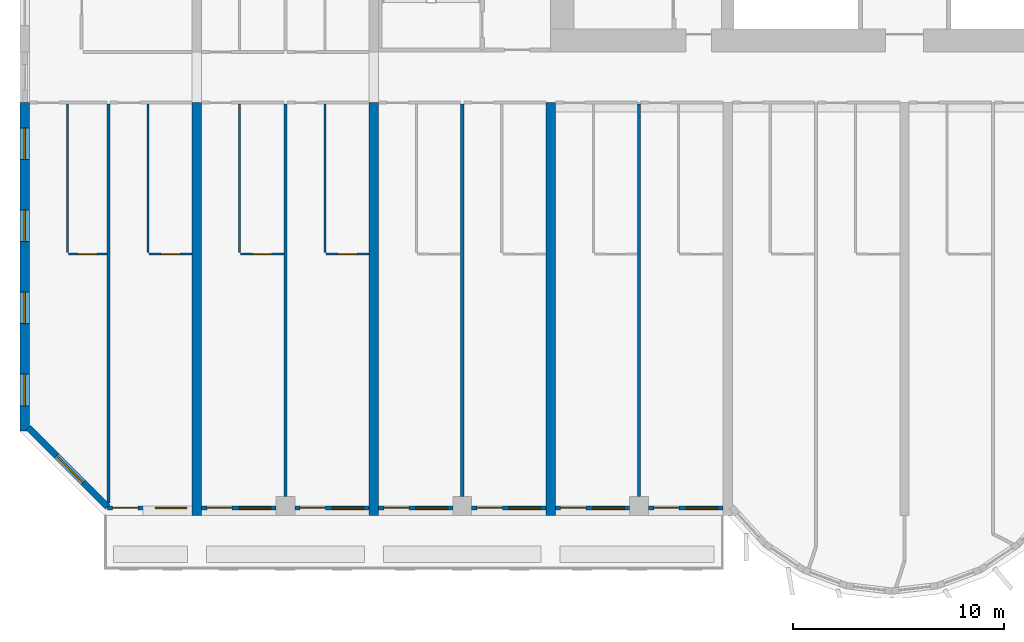
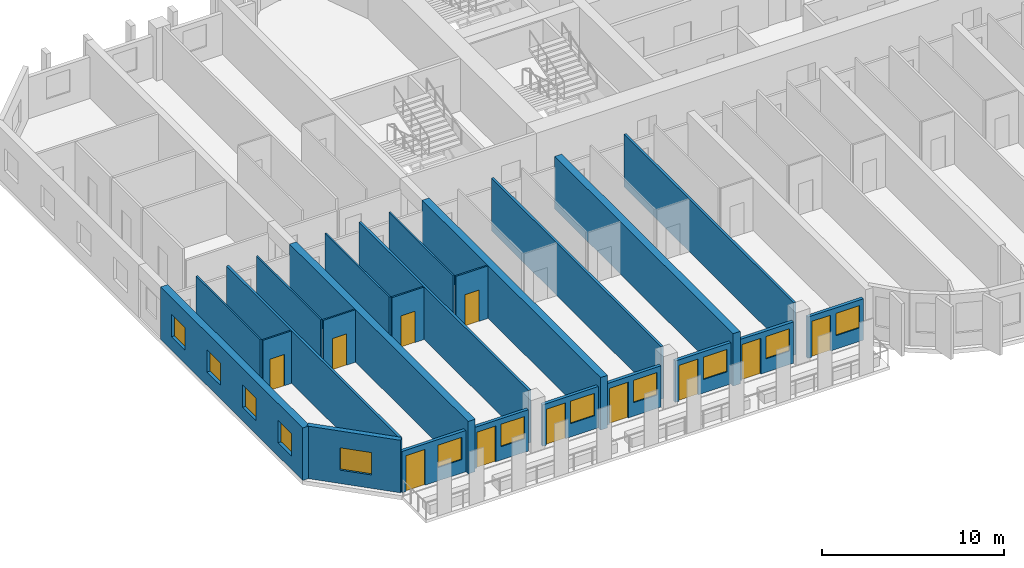
# One storey, part 2 of 14: 24 walls, 12 windows, 11 doors, 23 openings.
"""IFC4 building model written with IfcOpenShell, lengths in metres."""

from ifc_helpers import new_model, si_unit, direction, frame, frame_2d, origin, place, context, subcontext, project, spatial, rectangle, extrude, source, transform, mapped, material, layer, layer_set, type_object, element, fill, save


model = new_model("IFC4")

# Units and contexts
model_context = context("Model", 3, precision=1e-05, world=origin(), true_north=direction((0.0, 1.0)))
body_context = subcontext(model_context, "Body", "Model", "MODEL_VIEW")
ifc_project = project(units=[si_unit("LENGTHUNIT", "METRE"), si_unit("AREAUNIT", "SQUARE_METRE"), si_unit("VOLUMEUNIT", "CUBIC_METRE"), si_unit("PLANEANGLEUNIT", "RADIAN"), si_unit("MASSUNIT", "GRAM", prefix="KILO")], contexts=[model_context])

# Site, building, storey
site_placement = place(None, origin())
site = spatial("IfcSite", under=ifc_project, at=site_placement, CompositionType="ELEMENT")
building_placement = place(site_placement, origin())
building = spatial("IfcBuilding", under=site, at=building_placement, Name="Vanashikhar Sky Hotel", CompositionType="ELEMENT")
storey_placement = place(building_placement, frame((0.0, 0.0, 27.800048828125)))
storey = spatial("IfcBuildingStorey", under=building, at=storey_placement, Name="L05", CompositionType="ELEMENT", Elevation=27.800048828125)

# Wall, openings, windows
ifc_material_1 = material(Name="Concrete M80", Category="concrete")
ifc_layer_1 = layer(ifc_material_1, 0.449951171875)
ifc_layer_set_1 = layer_set([ifc_layer_1], Name="RC shear wall 450 Concrete M80")
wall_type_1 = type_object("IfcWallType", Name="RC shear wall 450 Concrete M80", PredefinedType="SHEAR", material=ifc_layer_set_1)
shared_shape_1 = source(origin(), body_context, "Body", "SweptSolid", [
    extrude(rectangle(XDim=15.60009765625, YDim=0.449951171875, at=frame_2d((7.800048828125, 0.0))), origin(), (0.0, 0.0, 1.0), 3.52001953125),
])
wall_1_placement = place(storey_placement, frame((0.22509765625, 4.0, 0.0), z_axis=(0.0, 0.0, 1.0), x_axis=(0.0, 1.0, 0.0)))
wall_1 = element("IfcWall", 1, at=wall_1_placement, inside=storey, type_object=wall_type_1, Name="CW-L05-XW01-1", PredefinedType="SHEAR", context=body_context, shape_type="MappedRepresentation", body=[
    mapped(shared_shape_1, transform((0.0, 0.0, 0.0), scale=1.0)),
])
shared_shape_2 = source(origin(), body_context, "Body", "SweptSolid", [
    extrude(rectangle(XDim=1.5, YDim=1.5, at=frame_2d((0.75, 0.75))), frame((0.0, 0.23486328125, 0.0), z_axis=(0.0, -1.0, 0.0), x_axis=(1.0, 0.0, 0.0)), (0.0, 0.0, 1.0), 0.469970703125),
])
opening_1_placement = place(wall_1_placement, frame((1.199951171875, 0.0, 0.89990234375)))
opening_1 = element("IfcOpeningElement", 2, at=opening_1_placement, cuts=wall_1, Name="Opening WN-1", PredefinedType="OPENING", context=body_context, shape_type="MappedRepresentation", body=[
    mapped(shared_shape_2, transform((0.0, 0.0, 0.0), scale=1.0)),
])
opening_2_placement = place(wall_1_placement, frame((5.10009765625, 0.0, 0.89990234375)))
opening_2 = element("IfcOpeningElement", 3, at=opening_2_placement, cuts=wall_1, Name="Opening WN-1", PredefinedType="OPENING", context=body_context, shape_type="MappedRepresentation", body=[
    mapped(shared_shape_2, transform((0.0, 0.0, 0.0), scale=1.0)),
])
opening_3_placement = place(wall_1_placement, frame((9.0, 0.0, 0.89990234375)))
opening_3 = element("IfcOpeningElement", 4, at=opening_3_placement, cuts=wall_1, Name="Opening WN-1", PredefinedType="OPENING", context=body_context, shape_type="MappedRepresentation", body=[
    mapped(shared_shape_2, transform((0.0, 0.0, 0.0), scale=1.0)),
])
opening_4_placement = place(wall_1_placement, frame((12.89990234375, 0.0, 0.89990234375)))
opening_4 = element("IfcOpeningElement", 5, at=opening_4_placement, cuts=wall_1, Name="Opening WN-1", PredefinedType="OPENING", context=body_context, shape_type="MappedRepresentation", body=[
    mapped(shared_shape_2, transform((0.0, 0.0, 0.0), scale=1.0)),
])
ifc_material_2 = material(Name="Glass", Category="glass")
window_type_1 = type_object("IfcWindowType", Name="Window 1500 x 1500", PartitioningType="SINGLE_PANEL", PredefinedType="WINDOW", material=ifc_material_2)
shared_shape_3 = source(origin(), body_context, "Body", "SweptSolid", [
    extrude(rectangle(XDim=1.5, YDim=1.5, at=frame_2d((0.75, 0.75))), frame((0.0, 0.030029296875, 0.0), z_axis=(0.0, -1.0, 0.0), x_axis=(1.0, 0.0, 0.0)), (0.0, 0.0, 1.0), 0.06005859375),
])
window_1_placement = place(opening_1_placement, origin())
window_1 = element("IfcWindow", 6, at=window_1_placement, inside=storey, type_object=window_type_1, Name="Window WN-1", OverallHeight=1.5, OverallWidth=1.5, PartitioningType="SINGLE_PANEL", PredefinedType="WINDOW", context=body_context, shape_type="MappedRepresentation", body=[
    mapped(shared_shape_3, transform((0.0, 0.0, 0.0), scale=1.0)),
])
fill(opening_1, window_1)
window_2_placement = place(opening_2_placement, origin())
window_2 = element("IfcWindow", 7, at=window_2_placement, inside=storey, type_object=window_type_1, Name="Window WN-1", OverallHeight=1.5, OverallWidth=1.5, PartitioningType="SINGLE_PANEL", PredefinedType="WINDOW", context=body_context, shape_type="MappedRepresentation", body=[
    mapped(shared_shape_3, transform((0.0, 0.0, 0.0), scale=1.0)),
])
fill(opening_2, window_2)
window_3_placement = place(opening_3_placement, origin())
window_3 = element("IfcWindow", 8, at=window_3_placement, inside=storey, type_object=window_type_1, Name="Window WN-1", OverallHeight=1.5, OverallWidth=1.5, PartitioningType="SINGLE_PANEL", PredefinedType="WINDOW", context=body_context, shape_type="MappedRepresentation", body=[
    mapped(shared_shape_3, transform((0.0, 0.0, 0.0), scale=1.0)),
])
fill(opening_3, window_3)
window_4_placement = place(opening_4_placement, origin())
window_4 = element("IfcWindow", 9, at=window_4_placement, inside=storey, type_object=window_type_1, Name="Window WN-1", OverallHeight=1.5, OverallWidth=1.5, PartitioningType="SINGLE_PANEL", PredefinedType="WINDOW", context=body_context, shape_type="MappedRepresentation", body=[
    mapped(shared_shape_3, transform((0.0, 0.0, 0.0), scale=1.0)),
])
fill(opening_4, window_4)

# Walls
shared_shape_4 = source(origin(), body_context, "Body", "SweptSolid", [
    extrude(rectangle(XDim=19.60009765625, YDim=0.449951171875, at=frame_2d((9.800048828125, 0.0))), origin(), (0.0, 0.0, 1.0), 3.52001953125),
])
for number, where, z_axis, x_axis, name in (
    (10, (8.39990234375, 0.0, 0.0), (0.0, 0.0, 1.0), (0.0, 1.0, 0.0), "CW-L05-XW02-1"),
    (11, (16.800048828125, 0.0, 0.0), (0.0, 0.0, 1.0), (0.0, 1.0, 0.0), "CW-L05-XW03-1"),
    (12, (25.199951171875, 0.0, 0.0), (0.0, 0.0, 1.0), (0.0, 1.0, 0.0), "CW-L05-XW04-1"),
):
    element("IfcWall", number, at=place(storey_placement, frame(where, z_axis=z_axis, x_axis=x_axis)), inside=storey, type_object=wall_type_1, Name=name, PredefinedType="SHEAR", context=body_context, shape_type="MappedRepresentation", body=[
        mapped(shared_shape_4, transform((0.0, 0.0, 0.0), scale=1.0)),
    ])

# Wall, openings, window, door
ifc_material_3 = material(Name="Concrete M50", Category="concrete")
ifc_layer_2 = layer(ifc_material_3, 0.199951171875)
ifc_layer_set_2 = layer_set([ifc_layer_2], Name="Front window wall 200")
wall_type_2 = type_object("IfcWallType", Name="Front window wall 200", PredefinedType="SOLIDWALL", material=ifc_layer_set_2)
shared_shape_5 = source(origin(), body_context, "Body", "SweptSolid", [
    extrude(rectangle(XDim=4.030029296875, YDim=0.199951171875, at=frame_2d((2.01513671875, 0.0))), origin(), (0.0, 0.0, 1.0), 2.77001953125),
])
wall_2_placement = place(storey_placement, frame((4.14501953125, 0.35009765625, 0.0), z_axis=(0.0, 0.0, 1.0), x_axis=(1.0, 0.0, 0.0)))
wall_2 = element("IfcWall", 13, at=wall_2_placement, inside=storey, type_object=wall_type_2, Name="Front window wall", PredefinedType="SOLIDWALL", context=body_context, shape_type="MappedRepresentation", body=[
    mapped(shared_shape_5, transform((0.0, 0.0, 0.0), scale=1.0)),
])
shared_shape_6 = source(origin(), body_context, "Body", "SweptSolid", [
    extrude(rectangle(XDim=1.199951171875, YDim=2.39990234375, at=frame_2d((0.60009765625, 1.199951171875))), frame((0.0, 0.10986328125, 0.0), z_axis=(0.0, -1.0, 0.0), x_axis=(1.0, 0.0, 0.0)), (0.0, 0.0, 1.0), 0.219970703125),
])
opening_5_placement = place(wall_2_placement, frame((0.25, 0.0, 0.0)))
opening_5 = element("IfcOpeningElement", 14, at=opening_5_placement, cuts=wall_2, Name="Opening BD-01", PredefinedType="OPENING", context=body_context, shape_type="MappedRepresentation", body=[
    mapped(shared_shape_6, transform((0.0, 0.0, 0.0), scale=1.0)),
])
shared_shape_7 = source(origin(), body_context, "Body", "SweptSolid", [
    extrude(rectangle(XDim=1.5, YDim=1.5, at=frame_2d((0.75, 0.75))), frame((0.0, 0.10986328125, 0.0), z_axis=(0.0, -1.0, 0.0), x_axis=(1.0, 0.0, 0.0)), (0.0, 0.0, 1.0), 0.219970703125),
])
opening_6_placement = place(wall_2_placement, frame((2.280029296875, 0.0, 0.89990234375)))
opening_6 = element("IfcOpeningElement", 15, at=opening_6_placement, cuts=wall_2, Name="Opening WN-1", PredefinedType="OPENING", context=body_context, shape_type="MappedRepresentation", body=[
    mapped(shared_shape_7, transform((0.0, 0.0, 0.0), scale=1.0)),
])
window_5_placement = place(opening_6_placement, origin())
window_5 = element("IfcWindow", 16, at=window_5_placement, inside=storey, type_object=window_type_1, Name="Window WN-1", OverallHeight=1.5, OverallWidth=1.5, PartitioningType="SINGLE_PANEL", PredefinedType="WINDOW", context=body_context, shape_type="MappedRepresentation", body=[
    mapped(shared_shape_3, transform((0.0, 0.0, 0.0), scale=1.0)),
])
fill(opening_6, window_5)
ifc_material_4 = material(Name="Aluminium", Category="aluminium")
door_type_1 = type_object("IfcDoorType", Name="Balcony sliding door 1200 x 2400", OperationType="NOTDEFINED", PredefinedType="DOOR", material=ifc_material_4)
shared_shape_8 = source(origin(), body_context, "Body", "SweptSolid", [
    extrude(rectangle(XDim=1.199951171875, YDim=2.39990234375, at=frame_2d((0.60009765625, 1.199951171875))), frame((0.0, 0.02490234375, 0.0), z_axis=(0.0, -1.0, 0.0), x_axis=(1.0, 0.0, 0.0)), (0.0, 0.0, 1.0), 0.050048828125),
])
door_1_placement = place(opening_5_placement, origin())
door_1 = element("IfcDoor", 17, at=door_1_placement, inside=storey, type_object=door_type_1, Name="Balcony sliding door", OperationType="SLIDING_TO_LEFT", OverallHeight=2.39990234375, OverallWidth=1.199951171875, PredefinedType="DOOR", context=body_context, shape_type="MappedRepresentation", body=[
    mapped(shared_shape_8, transform((0.0, 0.0, 0.0), scale=1.0)),
])
fill(opening_5, door_1)

shared_shape_9 = source(origin(), body_context, "Body", "SweptSolid", [
    extrude(rectangle(XDim=3.52490234375, YDim=0.199951171875, at=frame_2d((1.762451171875, 0.0))), origin(), (0.0, 0.0, 1.0), 2.77001953125),
])
wall_3_placement = place(storey_placement, frame((8.625, 0.35009765625, 0.0), z_axis=(0.0, 0.0, 1.0), x_axis=(1.0, 0.0, 0.0)))
wall_3 = element("IfcWall", 18, at=wall_3_placement, inside=storey, type_object=wall_type_2, Name="Front window wall", PredefinedType="SOLIDWALL", context=body_context, shape_type="MappedRepresentation", body=[
    mapped(shared_shape_9, transform((0.0, 0.0, 0.0), scale=1.0)),
])
opening_7_placement = place(wall_3_placement, frame((0.25, 0.0, 0.0)))
opening_7 = element("IfcOpeningElement", 19, at=opening_7_placement, cuts=wall_3, Name="Opening BD-02", PredefinedType="OPENING", context=body_context, shape_type="MappedRepresentation", body=[
    mapped(shared_shape_6, transform((0.0, 0.0, 0.0), scale=1.0)),
])
opening_8_placement = place(wall_3_placement, frame((1.77490234375, 0.0, 0.89990234375)))
opening_8 = element("IfcOpeningElement", 20, at=opening_8_placement, cuts=wall_3, Name="Opening WN-1", PredefinedType="OPENING", context=body_context, shape_type="MappedRepresentation", body=[
    mapped(shared_shape_7, transform((0.0, 0.0, 0.0), scale=1.0)),
])
window_6_placement = place(opening_8_placement, origin())
window_6 = element("IfcWindow", 21, at=window_6_placement, inside=storey, type_object=window_type_1, Name="Window WN-1", OverallHeight=1.5, OverallWidth=1.5, PartitioningType="SINGLE_PANEL", PredefinedType="WINDOW", context=body_context, shape_type="MappedRepresentation", body=[
    mapped(shared_shape_3, transform((0.0, 0.0, 0.0), scale=1.0)),
])
fill(opening_8, window_6)
door_2_placement = place(opening_7_placement, origin())
door_2 = element("IfcDoor", 22, at=door_2_placement, inside=storey, type_object=door_type_1, Name="Balcony sliding door", OperationType="SLIDING_TO_RIGHT", OverallHeight=2.39990234375, OverallWidth=1.199951171875, PredefinedType="DOOR", context=body_context, shape_type="MappedRepresentation", body=[
    mapped(shared_shape_8, transform((0.0, 0.0, 0.0), scale=1.0)),
])
fill(opening_7, door_2)

wall_4_placement = place(storey_placement, frame((13.050048828125, 0.35009765625, 0.0), z_axis=(0.0, 0.0, 1.0), x_axis=(1.0, 0.0, 0.0)))
wall_4 = element("IfcWall", 23, at=wall_4_placement, inside=storey, type_object=wall_type_2, Name="Front window wall", PredefinedType="SOLIDWALL", context=body_context, shape_type="MappedRepresentation", body=[
    mapped(shared_shape_9, transform((0.0, 0.0, 0.0), scale=1.0)),
])
opening_9_placement = place(wall_4_placement, frame((0.25, 0.0, 0.0)))
opening_9 = element("IfcOpeningElement", 24, at=opening_9_placement, cuts=wall_4, Name="Opening BD-03", PredefinedType="OPENING", context=body_context, shape_type="MappedRepresentation", body=[
    mapped(shared_shape_6, transform((0.0, 0.0, 0.0), scale=1.0)),
])
opening_10_placement = place(wall_4_placement, frame((1.77490234375, 0.0, 0.89990234375)))
opening_10 = element("IfcOpeningElement", 25, at=opening_10_placement, cuts=wall_4, Name="Opening WN-1", PredefinedType="OPENING", context=body_context, shape_type="MappedRepresentation", body=[
    mapped(shared_shape_7, transform((0.0, 0.0, 0.0), scale=1.0)),
])
window_7_placement = place(opening_10_placement, origin())
window_7 = element("IfcWindow", 26, at=window_7_placement, inside=storey, type_object=window_type_1, Name="Window WN-1", OverallHeight=1.5, OverallWidth=1.5, PartitioningType="SINGLE_PANEL", PredefinedType="WINDOW", context=body_context, shape_type="MappedRepresentation", body=[
    mapped(shared_shape_3, transform((0.0, 0.0, 0.0), scale=1.0)),
])
fill(opening_10, window_7)
door_3_placement = place(opening_9_placement, origin())
door_3 = element("IfcDoor", 27, at=door_3_placement, inside=storey, type_object=door_type_1, Name="Balcony sliding door", OperationType="SLIDING_TO_LEFT", OverallHeight=2.39990234375, OverallWidth=1.199951171875, PredefinedType="DOOR", context=body_context, shape_type="MappedRepresentation", body=[
    mapped(shared_shape_8, transform((0.0, 0.0, 0.0), scale=1.0)),
])
fill(opening_9, door_3)

wall_5_placement = place(storey_placement, frame((25.425048828125, 0.35009765625, 0.0), z_axis=(0.0, 0.0, 1.0), x_axis=(1.0, 0.0, 0.0)))
wall_5 = element("IfcWall", 28, at=wall_5_placement, inside=storey, type_object=wall_type_2, Name="Front window wall", PredefinedType="SOLIDWALL", context=body_context, shape_type="MappedRepresentation", body=[
    mapped(shared_shape_9, transform((0.0, 0.0, 0.0), scale=1.0)),
])
opening_11_placement = place(wall_5_placement, frame((0.25, 0.0, 0.0)))
opening_11 = element("IfcOpeningElement", 29, at=opening_11_placement, cuts=wall_5, Name="Opening BD-06", PredefinedType="OPENING", context=body_context, shape_type="MappedRepresentation", body=[
    mapped(shared_shape_6, transform((0.0, 0.0, 0.0), scale=1.0)),
])
opening_12_placement = place(wall_5_placement, frame((1.77490234375, 0.0, 0.89990234375)))
opening_12 = element("IfcOpeningElement", 30, at=opening_12_placement, cuts=wall_5, Name="Opening WN-1", PredefinedType="OPENING", context=body_context, shape_type="MappedRepresentation", body=[
    mapped(shared_shape_7, transform((0.0, 0.0, 0.0), scale=1.0)),
])
window_8_placement = place(opening_12_placement, origin())
window_8 = element("IfcWindow", 31, at=window_8_placement, inside=storey, type_object=window_type_1, Name="Window WN-1", OverallHeight=1.5, OverallWidth=1.5, PartitioningType="SINGLE_PANEL", PredefinedType="WINDOW", context=body_context, shape_type="MappedRepresentation", body=[
    mapped(shared_shape_3, transform((0.0, 0.0, 0.0), scale=1.0)),
])
fill(opening_12, window_8)
door_4_placement = place(opening_11_placement, origin())
door_4 = element("IfcDoor", 32, at=door_4_placement, inside=storey, type_object=door_type_1, Name="Balcony sliding door", OperationType="SLIDING_TO_RIGHT", OverallHeight=2.39990234375, OverallWidth=1.199951171875, PredefinedType="DOOR", context=body_context, shape_type="MappedRepresentation", body=[
    mapped(shared_shape_8, transform((0.0, 0.0, 0.0), scale=1.0)),
])
fill(opening_11, door_4)

wall_6_placement = place(storey_placement, frame((29.85009765625, 0.35009765625, 0.0), z_axis=(0.0, 0.0, 1.0), x_axis=(1.0, 0.0, 0.0)))
wall_6 = element("IfcWall", 33, at=wall_6_placement, inside=storey, type_object=wall_type_2, Name="Front window wall", PredefinedType="SOLIDWALL", context=body_context, shape_type="MappedRepresentation", body=[
    mapped(shared_shape_9, transform((0.0, 0.0, 0.0), scale=1.0)),
])
opening_13_placement = place(wall_6_placement, frame((0.25, 0.0, 0.0)))
opening_13 = element("IfcOpeningElement", 34, at=opening_13_placement, cuts=wall_6, Name="Opening BD-07", PredefinedType="OPENING", context=body_context, shape_type="MappedRepresentation", body=[
    mapped(shared_shape_6, transform((0.0, 0.0, 0.0), scale=1.0)),
])
opening_14_placement = place(wall_6_placement, frame((1.77490234375, 0.0, 0.89990234375)))
opening_14 = element("IfcOpeningElement", 35, at=opening_14_placement, cuts=wall_6, Name="Opening WN-1", PredefinedType="OPENING", context=body_context, shape_type="MappedRepresentation", body=[
    mapped(shared_shape_7, transform((0.0, 0.0, 0.0), scale=1.0)),
])
window_9_placement = place(opening_14_placement, origin())
window_9 = element("IfcWindow", 36, at=window_9_placement, inside=storey, type_object=window_type_1, Name="Window WN-1", OverallHeight=1.5, OverallWidth=1.5, PartitioningType="SINGLE_PANEL", PredefinedType="WINDOW", context=body_context, shape_type="MappedRepresentation", body=[
    mapped(shared_shape_3, transform((0.0, 0.0, 0.0), scale=1.0)),
])
fill(opening_14, window_9)
door_5_placement = place(opening_13_placement, origin())
door_5 = element("IfcDoor", 37, at=door_5_placement, inside=storey, type_object=door_type_1, Name="Balcony sliding door", OperationType="SLIDING_TO_LEFT", OverallHeight=2.39990234375, OverallWidth=1.199951171875, PredefinedType="DOOR", context=body_context, shape_type="MappedRepresentation", body=[
    mapped(shared_shape_8, transform((0.0, 0.0, 0.0), scale=1.0)),
])
fill(opening_13, door_5)

shared_shape_10 = source(origin(), body_context, "Body", "SweptSolid", [
    extrude(rectangle(XDim=3.525146484375, YDim=0.199951171875, at=frame_2d((1.7626953125, 0.0))), origin(), (0.0, 0.0, 1.0), 2.77001953125),
])
wall_7_placement = place(storey_placement, frame((17.02490234375, 0.35009765625, 0.0), z_axis=(0.0, 0.0, 1.0), x_axis=(1.0, 0.0, 0.0)))
wall_7 = element("IfcWall", 38, at=wall_7_placement, inside=storey, type_object=wall_type_2, Name="Front window wall", PredefinedType="SOLIDWALL", context=body_context, shape_type="MappedRepresentation", body=[
    mapped(shared_shape_10, transform((0.0, 0.0, 0.0), scale=1.0)),
])
opening_15_placement = place(wall_7_placement, frame((0.25, 0.0, 0.0)))
opening_15 = element("IfcOpeningElement", 39, at=opening_15_placement, cuts=wall_7, Name="Opening BD-04", PredefinedType="OPENING", context=body_context, shape_type="MappedRepresentation", body=[
    mapped(shared_shape_6, transform((0.0, 0.0, 0.0), scale=1.0)),
])
opening_16_placement = place(wall_7_placement, frame((1.77490234375, 0.0, 0.89990234375)))
opening_16 = element("IfcOpeningElement", 40, at=opening_16_placement, cuts=wall_7, Name="Opening WN-1", PredefinedType="OPENING", context=body_context, shape_type="MappedRepresentation", body=[
    mapped(shared_shape_7, transform((0.0, 0.0, 0.0), scale=1.0)),
])
window_10_placement = place(opening_16_placement, origin())
window_10 = element("IfcWindow", 41, at=window_10_placement, inside=storey, type_object=window_type_1, Name="Window WN-1", OverallHeight=1.5, OverallWidth=1.5, PartitioningType="SINGLE_PANEL", PredefinedType="WINDOW", context=body_context, shape_type="MappedRepresentation", body=[
    mapped(shared_shape_3, transform((0.0, 0.0, 0.0), scale=1.0)),
])
fill(opening_16, window_10)
door_6_placement = place(opening_15_placement, origin())
door_6 = element("IfcDoor", 42, at=door_6_placement, inside=storey, type_object=door_type_1, Name="Balcony sliding door", OperationType="SLIDING_TO_RIGHT", OverallHeight=2.39990234375, OverallWidth=1.199951171875, PredefinedType="DOOR", context=body_context, shape_type="MappedRepresentation", body=[
    mapped(shared_shape_8, transform((0.0, 0.0, 0.0), scale=1.0)),
])
fill(opening_15, door_6)

wall_8_placement = place(storey_placement, frame((21.449951171875, 0.35009765625, 0.0), z_axis=(0.0, 0.0, 1.0), x_axis=(1.0, 0.0, 0.0)))
wall_8 = element("IfcWall", 43, at=wall_8_placement, inside=storey, type_object=wall_type_2, Name="Front window wall", PredefinedType="SOLIDWALL", context=body_context, shape_type="MappedRepresentation", body=[
    mapped(shared_shape_10, transform((0.0, 0.0, 0.0), scale=1.0)),
])
opening_17_placement = place(wall_8_placement, frame((0.25, 0.0, 0.0)))
opening_17 = element("IfcOpeningElement", 44, at=opening_17_placement, cuts=wall_8, Name="Opening BD-05", PredefinedType="OPENING", context=body_context, shape_type="MappedRepresentation", body=[
    mapped(shared_shape_6, transform((0.0, 0.0, 0.0), scale=1.0)),
])
opening_18_placement = place(wall_8_placement, frame((1.77490234375, 0.0, 0.89990234375)))
opening_18 = element("IfcOpeningElement", 45, at=opening_18_placement, cuts=wall_8, Name="Opening WN-1", PredefinedType="OPENING", context=body_context, shape_type="MappedRepresentation", body=[
    mapped(shared_shape_7, transform((0.0, 0.0, 0.0), scale=1.0)),
])
window_11_placement = place(opening_18_placement, origin())
window_11 = element("IfcWindow", 46, at=window_11_placement, inside=storey, type_object=window_type_1, Name="Window WN-1", OverallHeight=1.5, OverallWidth=1.5, PartitioningType="SINGLE_PANEL", PredefinedType="WINDOW", context=body_context, shape_type="MappedRepresentation", body=[
    mapped(shared_shape_3, transform((0.0, 0.0, 0.0), scale=1.0)),
])
fill(opening_18, window_11)
door_7_placement = place(opening_17_placement, origin())
door_7 = element("IfcDoor", 47, at=door_7_placement, inside=storey, type_object=door_type_1, Name="Balcony sliding door", OperationType="SLIDING_TO_LEFT", OverallHeight=2.39990234375, OverallWidth=1.199951171875, PredefinedType="DOOR", context=body_context, shape_type="MappedRepresentation", body=[
    mapped(shared_shape_8, transform((0.0, 0.0, 0.0), scale=1.0)),
])
fill(opening_17, door_7)

# Wall, opening, window
ifc_layer_3 = layer(ifc_material_3, 0.300048828125)
ifc_layer_set_3 = layer_set([ifc_layer_3], Name="Lobe wall 300")
wall_type_3 = type_object("IfcWallType", Name="Lobe wall 300", PredefinedType="SOLIDWALL", material=ifc_layer_set_3)
shared_shape_11 = source(origin(), body_context, "Body", "SweptSolid", [
    extrude(rectangle(XDim=5.32568359375, YDim=0.300048828125, at=frame_2d((2.662841796875, 0.0))), origin(), (0.0, 0.0, 1.0), 3.52001953125),
])
wall_9_placement = place(storey_placement, frame((0.39990234375, 4.165771484375, 0.0), z_axis=(0.0, 0.0, 1.0), x_axis=(0.707106781187, -0.707106781187, 0.0)))
wall_9 = element("IfcWall", 48, at=wall_9_placement, inside=storey, type_object=wall_type_3, Name="Corner wall", PredefinedType="SOLIDWALL", context=body_context, shape_type="MappedRepresentation", body=[
    mapped(shared_shape_11, transform((0.0, 0.0, 0.0), scale=1.0)),
])
shared_shape_12 = source(origin(), body_context, "Body", "SweptSolid", [
    extrude(rectangle(XDim=1.800048828125, YDim=1.5, at=frame_2d((0.89990234375, 0.75))), frame((0.0, 0.16015625, 0.0), z_axis=(0.0, -1.0, 0.0), x_axis=(1.0, 0.0, 0.0)), (0.0, 0.0, 1.0), 0.320068359375),
])
opening_19_placement = place(wall_9_placement, frame((1.888916015625, 0.0, 0.89990234375)))
opening_19 = element("IfcOpeningElement", 49, at=opening_19_placement, cuts=wall_9, Name="Opening WN-4", PredefinedType="OPENING", context=body_context, shape_type="MappedRepresentation", body=[
    mapped(shared_shape_12, transform((0.0, 0.0, 0.0), scale=1.0)),
])
window_type_2 = type_object("IfcWindowType", Name="Corner window 1800 x 1500", PartitioningType="SINGLE_PANEL", PredefinedType="WINDOW", material=ifc_material_2)
shared_shape_13 = source(origin(), body_context, "Body", "SweptSolid", [
    extrude(rectangle(XDim=1.800048828125, YDim=1.5, at=frame_2d((0.89990234375, 0.75))), frame((0.0, 0.030029296875, 0.0), z_axis=(0.0, -1.0, 0.0), x_axis=(1.0, 0.0, 0.0)), (0.0, 0.0, 1.0), 0.06005859375),
])
window_12_placement = place(opening_19_placement, origin())
window_12 = element("IfcWindow", 50, at=window_12_placement, inside=storey, type_object=window_type_2, Name="Window WN-4", OverallHeight=1.5, OverallWidth=1.800048828125, PartitioningType="SINGLE_PANEL", PredefinedType="WINDOW", context=body_context, shape_type="MappedRepresentation", body=[
    mapped(shared_shape_13, transform((0.0, 0.0, 0.0), scale=1.0)),
])
fill(opening_19, window_12)

# Walls
ifc_material_5 = material(Name="Gypsum plasterboard partition")
ifc_layer_4 = layer(ifc_material_5, 0.10009765625)
ifc_layer_set_4 = layer_set([ifc_layer_4], Name="Wet room partition 100")
wall_type_4 = type_object("IfcWallType", Name="Wet room partition 100", PredefinedType="PARTITIONING", material=ifc_layer_set_4)
shared_shape_14 = source(origin(), body_context, "Body", "SweptSolid", [
    extrude(rectangle(XDim=7.0498046875, YDim=0.10009765625, at=frame_2d((3.52490234375, 0.0))), origin(), (0.0, 0.0, 1.0), 3.52001953125),
])
for number, where, z_axis, x_axis, name in (
    (51, (2.25, 12.47509765625, 0.0), (0.0, 0.0, 1.0), (0.0, 1.0, 0.0), "W-L05-PW001"),
    (52, (6.074951171875, 12.47509765625, 0.0), (0.0, 0.0, 1.0), (0.0, 1.0, 0.0), "W-L05-PW004"),
    (53, (10.425048828125, 12.47509765625, 0.0), (0.0, 0.0, 1.0), (0.0, 1.0, 0.0), "W-L05-PW008"),
    (54, (14.47509765625, 12.47509765625, 0.0), (0.0, 0.0, 1.0), (0.0, 1.0, 0.0), "W-L05-PW011"),
):
    element("IfcWall", number, at=place(storey_placement, frame(where, z_axis=z_axis, x_axis=x_axis)), inside=storey, type_object=wall_type_4, Name=name, PredefinedType="PARTITIONING", context=body_context, shape_type="MappedRepresentation", body=[
        mapped(shared_shape_14, transform((0.0, 0.0, 0.0), scale=1.0)),
    ])

# Wall, opening, door
shared_shape_15 = source(origin(), body_context, "Body", "SweptSolid", [
    extrude(rectangle(XDim=1.824951171875, YDim=0.10009765625, at=frame_2d((0.91259765625, 0.0))), origin(), (0.0, 0.0, 1.0), 3.52001953125),
])
wall_10_placement = place(storey_placement, frame((2.300048828125, 12.39990234375, 0.0), z_axis=(0.0, 0.0, 1.0), x_axis=(1.0, 0.0, 0.0)))
wall_10 = element("IfcWall", 55, at=wall_10_placement, inside=storey, type_object=wall_type_4, Name="W-L05-PW002", PredefinedType="PARTITIONING", context=body_context, shape_type="MappedRepresentation", body=[
    mapped(shared_shape_15, transform((0.0, 0.0, 0.0), scale=1.0)),
])
shared_shape_16 = source(origin(), body_context, "Body", "SweptSolid", [
    extrude(rectangle(XDim=0.89990234375, YDim=2.10009765625, at=frame_2d((0.449951171875, 1.050048828125))), frame((0.0, 0.06005859375, 0.0), z_axis=(0.0, -1.0, 0.0), x_axis=(1.0, 0.0, 0.0)), (0.0, 0.0, 1.0), 0.1201171875),
])
opening_20_placement = place(wall_10_placement, frame((0.4619140625, 0.0, 0.0)))
opening_20 = element("IfcOpeningElement", 56, at=opening_20_placement, cuts=wall_10, Name="Opening D-02", PredefinedType="OPENING", context=body_context, shape_type="MappedRepresentation", body=[
    mapped(shared_shape_16, transform((0.0, 0.0, 0.0), scale=1.0)),
])
ifc_material_6 = material(Name="Timber door", Category="wood")
door_type_2 = type_object("IfcDoorType", Name="Internal door 900", OperationType="NOTDEFINED", PredefinedType="DOOR", material=ifc_material_6)
shared_shape_17 = source(origin(), body_context, "Body", "SweptSolid", [
    extrude(rectangle(XDim=0.89990234375, YDim=2.10009765625, at=frame_2d((0.449951171875, 1.050048828125))), frame((0.0, 0.02490234375, 0.0), z_axis=(0.0, -1.0, 0.0), x_axis=(1.0, 0.0, 0.0)), (0.0, 0.0, 1.0), 0.050048828125),
])
door_8_placement = place(opening_20_placement, origin())
door_8 = element("IfcDoor", 57, at=door_8_placement, inside=storey, type_object=door_type_2, Name="D-L05-001", OperationType="SINGLE_SWING_LEFT", OverallHeight=2.10009765625, OverallWidth=0.89990234375, PredefinedType="DOOR", context=body_context, shape_type="MappedRepresentation", body=[
    mapped(shared_shape_17, transform((0.0, 0.0, 0.0), scale=1.0)),
])
fill(opening_20, door_8)

shared_shape_18 = source(origin(), body_context, "Body", "SweptSolid", [
    extrude(rectangle(XDim=2.050048828125, YDim=0.10009765625, at=frame_2d((1.02490234375, 0.0))), origin(), (0.0, 0.0, 1.0), 3.52001953125),
])
wall_11_placement = place(storey_placement, frame((6.125, 12.39990234375, 0.0), z_axis=(0.0, 0.0, 1.0), x_axis=(1.0, 0.0, 0.0)))
wall_11 = element("IfcWall", 58, at=wall_11_placement, inside=storey, type_object=wall_type_4, Name="W-L05-PW005", PredefinedType="PARTITIONING", context=body_context, shape_type="MappedRepresentation", body=[
    mapped(shared_shape_18, transform((0.0, 0.0, 0.0), scale=1.0)),
])
opening_21_placement = place(wall_11_placement, frame((0.574951171875, 0.0, 0.0)))
opening_21 = element("IfcOpeningElement", 59, at=opening_21_placement, cuts=wall_11, Name="Opening D-02", PredefinedType="OPENING", context=body_context, shape_type="MappedRepresentation", body=[
    mapped(shared_shape_16, transform((0.0, 0.0, 0.0), scale=1.0)),
])
door_9_placement = place(opening_21_placement, origin())
door_9 = element("IfcDoor", 60, at=door_9_placement, inside=storey, type_object=door_type_2, Name="D-L05-003", OperationType="SINGLE_SWING_LEFT", OverallHeight=2.10009765625, OverallWidth=0.89990234375, PredefinedType="DOOR", context=body_context, shape_type="MappedRepresentation", body=[
    mapped(shared_shape_17, transform((0.0, 0.0, 0.0), scale=1.0)),
])
fill(opening_21, door_9)

wall_12_placement = place(storey_placement, frame((14.52490234375, 12.39990234375, 0.0), z_axis=(0.0, 0.0, 1.0), x_axis=(1.0, 0.0, 0.0)))
wall_12 = element("IfcWall", 61, at=wall_12_placement, inside=storey, type_object=wall_type_4, Name="W-L05-PW012", PredefinedType="PARTITIONING", context=body_context, shape_type="MappedRepresentation", body=[
    mapped(shared_shape_18, transform((0.0, 0.0, 0.0), scale=1.0)),
])
opening_22_placement = place(wall_12_placement, frame((0.574951171875, 0.0, 0.0)))
opening_22 = element("IfcOpeningElement", 62, at=opening_22_placement, cuts=wall_12, Name="Opening D-02", PredefinedType="OPENING", context=body_context, shape_type="MappedRepresentation", body=[
    mapped(shared_shape_16, transform((0.0, 0.0, 0.0), scale=1.0)),
])
door_10_placement = place(opening_22_placement, origin())
door_10 = element("IfcDoor", 63, at=door_10_placement, inside=storey, type_object=door_type_2, Name="D-L05-007", OperationType="SINGLE_SWING_LEFT", OverallHeight=2.10009765625, OverallWidth=0.89990234375, PredefinedType="DOOR", context=body_context, shape_type="MappedRepresentation", body=[
    mapped(shared_shape_17, transform((0.0, 0.0, 0.0), scale=1.0)),
])
fill(opening_22, door_10)

# Wall
ifc_layer_5 = layer(ifc_material_5, 0.14990234375)
ifc_layer_set_5 = layer_set([ifc_layer_5], Name="Corridor and demising partition 150")
wall_type_5 = type_object("IfcWallType", Name="Corridor and demising partition 150", PredefinedType="PARTITIONING", material=ifc_layer_set_5)
shared_shape_19 = source(origin(), body_context, "Body", "SweptSolid", [
    extrude(rectangle(XDim=18.947021484375, YDim=0.14990234375, at=frame_2d((9.4736328125, 0.0))), origin(), (0.0, 0.0, 1.0), 3.52001953125),
])
wall_13_placement = place(storey_placement, frame((4.199951171875, 0.577880859375, 0.0), z_axis=(0.0, 0.0, 1.0), x_axis=(0.0, 1.0, 0.0)))
element("IfcWall", 64, at=wall_13_placement, inside=storey, type_object=wall_type_5, Name="W-L05-PW007", PredefinedType="PARTITIONING", context=body_context, shape_type="MappedRepresentation", body=[
    mapped(shared_shape_19, transform((0.0, 0.0, 0.0), scale=1.0)),
])

# Wall, opening, door
shared_shape_20 = source(origin(), body_context, "Body", "SweptSolid", [
    extrude(rectangle(XDim=2.0498046875, YDim=0.10009765625, at=frame_2d((1.02490234375, 0.0))), origin(), (0.0, 0.0, 1.0), 3.52001953125),
])
wall_14_placement = place(storey_placement, frame((10.47509765625, 12.39990234375, 0.0), z_axis=(0.0, 0.0, 1.0), x_axis=(1.0, 0.0, 0.0)))
wall_14 = element("IfcWall", 65, at=wall_14_placement, inside=storey, type_object=wall_type_4, Name="W-L05-PW009", PredefinedType="PARTITIONING", context=body_context, shape_type="MappedRepresentation", body=[
    mapped(shared_shape_20, transform((0.0, 0.0, 0.0), scale=1.0)),
])
opening_23_placement = place(wall_14_placement, frame((0.574951171875, 0.0, 0.0)))
opening_23 = element("IfcOpeningElement", 66, at=opening_23_placement, cuts=wall_14, Name="Opening D-02", PredefinedType="OPENING", context=body_context, shape_type="MappedRepresentation", body=[
    mapped(shared_shape_16, transform((0.0, 0.0, 0.0), scale=1.0)),
])
door_11_placement = place(opening_23_placement, origin())
door_11 = element("IfcDoor", 67, at=door_11_placement, inside=storey, type_object=door_type_2, Name="D-L05-005", OperationType="SINGLE_SWING_LEFT", OverallHeight=2.10009765625, OverallWidth=0.89990234375, PredefinedType="DOOR", context=body_context, shape_type="MappedRepresentation", body=[
    mapped(shared_shape_17, transform((0.0, 0.0, 0.0), scale=1.0)),
])
fill(opening_23, door_11)

# Walls
shared_shape_21 = source(origin(), body_context, "Body", "SweptSolid", [
    extrude(rectangle(XDim=18.625, YDim=0.14990234375, at=frame_2d((9.3125, 0.0))), origin(), (0.0, 0.0, 1.0), 3.52001953125),
])
for number, where, z_axis, x_axis, name in (
    (68, (12.60009765625, 0.89990234375, 0.0), (0.0, 0.0, 1.0), (0.0, 1.0, 0.0), "W-L05-PW014"),
    (69, (21.0, 0.89990234375, 0.0), (0.0, 0.0, 1.0), (0.0, 1.0, 0.0), "W-L05-PW021"),
    (70, (29.39990234375, 0.89990234375, 0.0), (0.0, 0.0, 1.0), (0.0, 1.0, 0.0), "W-L05-PW028"),
):
    element("IfcWall", number, at=place(storey_placement, frame(where, z_axis=z_axis, x_axis=x_axis)), inside=storey, type_object=wall_type_5, Name=name, PredefinedType="PARTITIONING", context=body_context, shape_type="MappedRepresentation", body=[
        mapped(shared_shape_21, transform((0.0, 0.0, 0.0), scale=1.0)),
    ])

save(model, "model.ifc")
